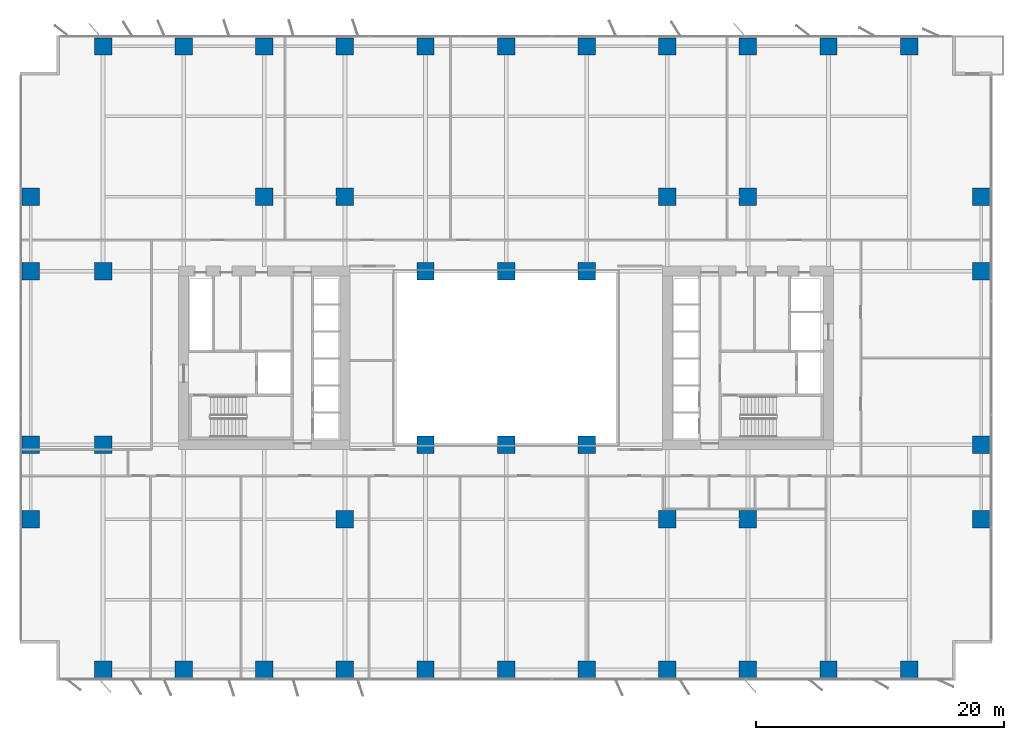
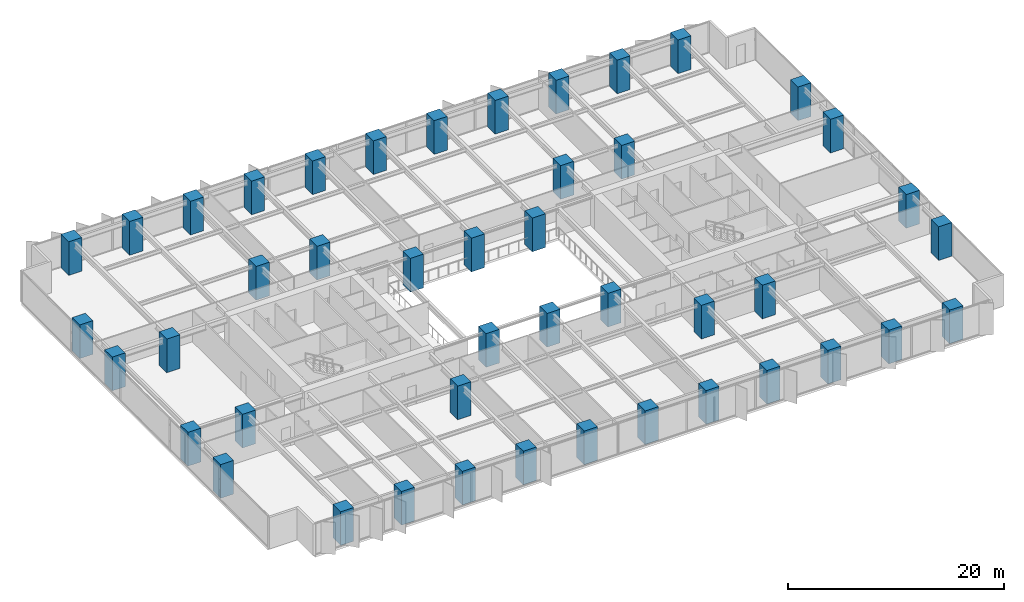
# One storey, part 1 of 20: 45 columns.
"""IFC4 building model written with IfcOpenShell, lengths in metres."""

from ifc_helpers import new_model, si_unit, direction, frame, origin, origin_2d, place, context, subcontext, project, spatial, rectangle, extrude, material, material_profile, profile_set, type_object, element, save


model = new_model("IFC4")

# Units and contexts
model_context = context("Model", 3, precision=1e-05, world=origin(), true_north=direction((0.0, 1.0)))
body_context = subcontext(model_context, "Body", "Model", "MODEL_VIEW")
ifc_project = project(units=[si_unit("LENGTHUNIT", "METRE"), si_unit("AREAUNIT", "SQUARE_METRE"), si_unit("VOLUMEUNIT", "CUBIC_METRE"), si_unit("PLANEANGLEUNIT", "RADIAN"), si_unit("MASSUNIT", "GRAM", prefix="KILO")], contexts=[model_context])

# Site, building, storey
site_placement = place(None, origin())
site = spatial("IfcSite", under=ifc_project, at=site_placement, CompositionType="ELEMENT")
building_placement = place(site_placement, origin())
building = spatial("IfcBuilding", under=site, at=building_placement, Name="Putna Gate Headquarters", CompositionType="ELEMENT")
storey_placement = place(building_placement, frame((0.0, 0.0, 65.800048828125)))
storey = spatial("IfcBuildingStorey", under=building, at=storey_placement, Name="L15", CompositionType="ELEMENT", Elevation=65.800048828125)

# Columns
ifc_material = material(Name="Concrete C60/75", Category="concrete")
ifc_material_profile_1 = material_profile(ifc_material, rectangle(XDim=1.39990234375, YDim=1.39990234375, at=origin_2d()), Name="Concrete C60/75")
ifc_profile_set_1 = profile_set([ifc_material_profile_1], Name="Concrete C60/75")
column_type_1 = type_object("IfcColumnType", Name="COL-RC1400-EXT", PredefinedType="COLUMN", material=ifc_profile_set_1)
for number, where, z_axis, x_axis, name in (
    (1, (6.5, 0.8798828125, 0.0), (0.0, 0.0, 1.0), (1.0, 0.0, 0.0), "L15 Column CP-S6"),
    (2, (6.5, 51.1201171875, 0.0), (0.0, 0.0, 1.0), (1.0, 0.0, 0.0), "L15 Column CP-N6"),
    (3, (13.0, 0.8798828125, 0.0), (0.0, 0.0, 1.0), (1.0, 0.0, 0.0), "L15 Column CP-S13"),
    (4, (13.0, 51.1201171875, 0.0), (0.0, 0.0, 1.0), (1.0, 0.0, 0.0), "L15 Column CP-N13"),
    (5, (19.5, 0.8798828125, 0.0), (0.0, 0.0, 1.0), (1.0, 0.0, 0.0), "L15 Column CP-S19"),
    (6, (19.5, 51.1201171875, 0.0), (0.0, 0.0, 1.0), (1.0, 0.0, 0.0), "L15 Column CP-N19"),
    (7, (26.0, 0.8798828125, 0.0), (0.0, 0.0, 1.0), (1.0, 0.0, 0.0), "L15 Column CP-S26"),
    (8, (26.0, 51.1201171875, 0.0), (0.0, 0.0, 1.0), (1.0, 0.0, 0.0), "L15 Column CP-N26"),
    (9, (32.5, 0.8798828125, 0.0), (0.0, 0.0, 1.0), (1.0, 0.0, 0.0), "L15 Column CP-S32"),
    (10, (32.5, 51.1201171875, 0.0), (0.0, 0.0, 1.0), (1.0, 0.0, 0.0), "L15 Column CP-N32"),
    (11, (39.0, 0.8798828125, 0.0), (0.0, 0.0, 1.0), (1.0, 0.0, 0.0), "L15 Column CP-S39"),
    (12, (39.0, 51.1201171875, 0.0), (0.0, 0.0, 1.0), (1.0, 0.0, 0.0), "L15 Column CP-N39"),
    (13, (45.5, 0.8798828125, 0.0), (0.0, 0.0, 1.0), (1.0, 0.0, 0.0), "L15 Column CP-S45"),
    (14, (45.5, 51.1201171875, 0.0), (0.0, 0.0, 1.0), (1.0, 0.0, 0.0), "L15 Column CP-N45"),
    (15, (52.0, 0.8798828125, 0.0), (0.0, 0.0, 1.0), (1.0, 0.0, 0.0), "L15 Column CP-S52"),
    (16, (52.0, 51.1201171875, 0.0), (0.0, 0.0, 1.0), (1.0, 0.0, 0.0), "L15 Column CP-N52"),
    (17, (58.5, 0.8798828125, 0.0), (0.0, 0.0, 1.0), (1.0, 0.0, 0.0), "L15 Column CP-S58"),
    (18, (58.5, 51.1201171875, 0.0), (0.0, 0.0, 1.0), (1.0, 0.0, 0.0), "L15 Column CP-N58"),
    (19, (65.0, 0.8798828125, 0.0), (0.0, 0.0, 1.0), (1.0, 0.0, 0.0), "L15 Column CP-S65"),
    (20, (65.0, 51.1201171875, 0.0), (0.0, 0.0, 1.0), (1.0, 0.0, 0.0), "L15 Column CP-N65"),
    (21, (71.5, 0.8798828125, 0.0), (0.0, 0.0, 1.0), (1.0, 0.0, 0.0), "L15 Column CP-S71"),
    (22, (71.5, 51.1201171875, 0.0), (0.0, 0.0, 1.0), (1.0, 0.0, 0.0), "L15 Column CP-N71"),
    (23, (0.679931640625, 13.0, 0.0), (0.0, 0.0, 1.0), (1.0, 0.0, 0.0), "L15 Column CP-W13"),
    (24, (77.320068359375, 13.0, 0.0), (0.0, 0.0, 1.0), (1.0, 0.0, 0.0), "L15 Column CP-E13"),
    (25, (0.679931640625, 19.0, 0.0), (0.0, 0.0, 1.0), (1.0, 0.0, 0.0), "L15 Column CP-W19"),
    (26, (77.320068359375, 19.0, 0.0), (0.0, 0.0, 1.0), (1.0, 0.0, 0.0), "L15 Column CP-E19"),
    (27, (0.679931640625, 33.0, 0.0), (0.0, 0.0, 1.0), (1.0, 0.0, 0.0), "L15 Column CP-W33"),
    (28, (77.320068359375, 33.0, 0.0), (0.0, 0.0, 1.0), (1.0, 0.0, 0.0), "L15 Column CP-E33"),
    (29, (0.679931640625, 39.0, 0.0), (0.0, 0.0, 1.0), (1.0, 0.0, 0.0), "L15 Column CP-W39"),
    (30, (77.320068359375, 39.0, 0.0), (0.0, 0.0, 1.0), (1.0, 0.0, 0.0), "L15 Column CP-E39"),
):
    element("IfcColumn", number, at=place(storey_placement, frame(where, z_axis=z_axis, x_axis=x_axis)), inside=storey, type_object=column_type_1, Name=name, PredefinedType="COLUMN", context=body_context, shape_type="SweptSolid", body=[
        extrude(rectangle(XDim=1.39990234375, YDim=1.39990234375, at=origin_2d()), origin(), (0.0, 0.0, 1.0), 3.800048828125),
    ])
ifc_material_profile_2 = material_profile(ifc_material, rectangle(XDim=1.39990234375, YDim=1.39990234375, at=origin_2d()), Name="Concrete C60/75")
ifc_profile_set_2 = profile_set([ifc_material_profile_2], Name="Concrete C60/75")
column_type_2 = type_object("IfcColumnType", Name="COL-RC1400-INT", PredefinedType="COLUMN", material=ifc_profile_set_2)
for number, where, z_axis, x_axis, name in (
    (31, (19.5, 39.0, 0.0), (0.0, 0.0, 1.0), (1.0, 0.0, 0.0), "L15 Column CSI-WN"),
    (32, (58.5, 13.0, 0.0), (0.0, 0.0, 1.0), (1.0, 0.0, 0.0), "L15 Column CSI-ES"),
    (33, (58.5, 39.0, 0.0), (0.0, 0.0, 1.0), (1.0, 0.0, 0.0), "L15 Column CSI-EN"),
    (34, (6.5, 19.0, 0.0), (0.0, 0.0, 1.0), (1.0, 0.0, 0.0), "L15 Column CSI-WM"),
    (35, (6.5, 33.0, 0.0), (0.0, 0.0, 1.0), (1.0, 0.0, 0.0), "L15 Column CSI-WNW"),
    (36, (32.5, 19.0, 0.0), (0.0, 0.0, 1.0), (1.0, 0.0, 0.0), "L15 Column CAI-S32"),
    (37, (32.5, 33.0, 0.0), (0.0, 0.0, 1.0), (1.0, 0.0, 0.0), "L15 Column CAI-N32"),
    (38, (39.0, 19.0, 0.0), (0.0, 0.0, 1.0), (1.0, 0.0, 0.0), "L15 Column CAI-S39"),
    (39, (39.0, 33.0, 0.0), (0.0, 0.0, 1.0), (1.0, 0.0, 0.0), "L15 Column CAI-N39"),
    (40, (45.5, 19.0, 0.0), (0.0, 0.0, 1.0), (1.0, 0.0, 0.0), "L15 Column CAI-S45"),
    (41, (45.5, 33.0, 0.0), (0.0, 0.0, 1.0), (1.0, 0.0, 0.0), "L15 Column CAI-N45"),
    (42, (26.0, 13.0, 0.0), (0.0, 0.0, 1.0), (1.0, 0.0, 0.0), "L15 Column CAP-WS"),
    (43, (26.0, 39.0, 0.0), (0.0, 0.0, 1.0), (1.0, 0.0, 0.0), "L15 Column CAP-WN"),
    (44, (52.0, 13.0, 0.0), (0.0, 0.0, 1.0), (1.0, 0.0, 0.0), "L15 Column CAP-ES"),
    (45, (52.0, 39.0, 0.0), (0.0, 0.0, 1.0), (1.0, 0.0, 0.0), "L15 Column CAP-EN"),
):
    element("IfcColumn", number, at=place(storey_placement, frame(where, z_axis=z_axis, x_axis=x_axis)), inside=storey, type_object=column_type_2, Name=name, PredefinedType="COLUMN", context=body_context, shape_type="SweptSolid", body=[
        extrude(rectangle(XDim=1.39990234375, YDim=1.39990234375, at=origin_2d()), origin(), (0.0, 0.0, 1.0), 3.800048828125),
    ])

save(model, "model.ifc")
